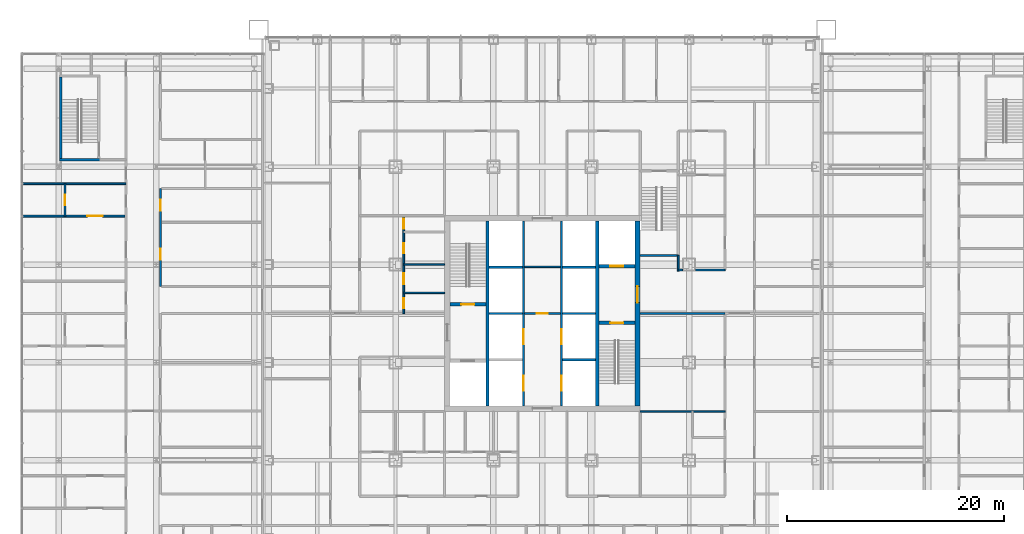
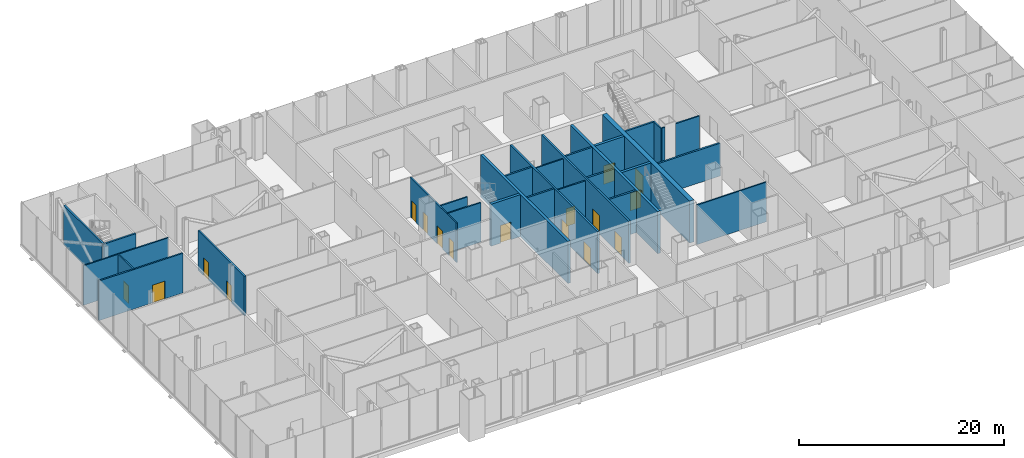
# One storey, part 15 of 25: 30 walls, 17 doors, 17 openings.
"""IFC4 building model written with IfcOpenShell, lengths in metres."""

from ifc_helpers import new_model, si_unit, direction, frame, frame_2d, origin, place, context, subcontext, project, spatial, rectangle, extrude, material, layer, layer_set, type_object, element, fill, save


model = new_model("IFC4")

# Units and contexts
model_context = context("Model", 3, precision=1e-05, world=origin(), true_north=direction((0.0, 1.0)))
body_context = subcontext(model_context, "Body", "Model", "MODEL_VIEW")
ifc_project = project(units=[si_unit("LENGTHUNIT", "METRE"), si_unit("AREAUNIT", "SQUARE_METRE"), si_unit("VOLUMEUNIT", "CUBIC_METRE"), si_unit("PLANEANGLEUNIT", "RADIAN"), si_unit("MASSUNIT", "GRAM", prefix="KILO")], contexts=[model_context])

# Site, building, storey
site_placement = place(None, origin())
site = spatial("IfcSite", under=ifc_project, at=site_placement, CompositionType="ELEMENT")
building_placement = place(site_placement, origin())
building = spatial("IfcBuilding", under=site, at=building_placement, Name="Malebo Sky Hospital", CompositionType="ELEMENT")
storey_placement = place(building_placement, frame((0.0, 0.0, 6.0)))
storey = spatial("IfcBuildingStorey", under=building, at=storey_placement, Name="L01", CompositionType="ELEMENT", Elevation=6.0)

# Wall, openings, doors
ifc_material_1 = material(Name="Concrete C80/95", Category="concrete")
ifc_layer_1 = layer(ifc_material_1, 0.199951171875)
ifc_layer_set_1 = layer_set([ifc_layer_1], Name="CORE INNER WALL 200")
wall_type_1 = type_object("IfcWallType", Name="CORE INNER WALL 200", PredefinedType="SHEAR", material=ifc_layer_set_1)
wall_1_placement = place(storey_placement, frame((58.25, 53.5, 0.0), z_axis=(0.0, 0.0, 1.0), x_axis=(0.0, 1.0, 0.0)))
wall_1 = element("IfcWall", 1, at=wall_1_placement, inside=storey, type_object=wall_type_1, Name="Core wall LW L01", PredefinedType="SHEAR", context=body_context, shape_type="SweptSolid", body=[
    extrude(rectangle(XDim=17.0, YDim=0.199951171875, at=frame_2d((8.5, 0.0))), origin(), (0.0, 0.0, 1.0), 5.0),
])
opening_1_placement = place(wall_1_placement, frame((1.375, 0.0, 0.0)))
opening_1 = element("IfcOpeningElement", 2, at=opening_1_placement, cuts=wall_1, Name="Opening LD1", PredefinedType="OPENING", context=body_context, shape_type="SweptSolid", body=[
    extrude(rectangle(XDim=1.39990234375, YDim=2.199951171875, at=frame_2d((0.699951171875, 1.10009765625))), frame((0.0, 0.10986328125, 0.0), z_axis=(0.0, -1.0, 0.0), x_axis=(1.0, 0.0, 0.0)), (0.0, 0.0, 1.0), 0.219970703125),
])
opening_2_placement = place(wall_1_placement, frame((5.675048828125, 0.0, 0.0)))
opening_2 = element("IfcOpeningElement", 3, at=opening_2_placement, cuts=wall_1, Name="Opening LD1", PredefinedType="OPENING", context=body_context, shape_type="SweptSolid", body=[
    extrude(rectangle(XDim=1.39990234375, YDim=2.199951171875, at=frame_2d((0.699951171875, 1.10009765625))), frame((0.0, 0.10986328125, 0.0), z_axis=(0.0, -1.0, 0.0), x_axis=(1.0, 0.0, 0.0)), (0.0, 0.0, 1.0), 0.219970703125),
])
ifc_material_2 = material(Name="Stainless steel sliding landing door", Category="steel")
door_type_1 = type_object("IfcDoorType", Name="LIFT LANDING DOOR 1400", OperationType="SLIDING_TO_LEFT", PredefinedType="DOOR", material=ifc_material_2)
door_1_placement = place(opening_1_placement, origin())
door_1 = element("IfcDoor", 4, at=door_1_placement, inside=storey, type_object=door_type_1, Name="Lift W1 landing door", OperationType="SLIDING_TO_LEFT", OverallHeight=2.199951171875, OverallWidth=1.39990234375, PredefinedType="DOOR", context=body_context, shape_type="SweptSolid", body=[
    extrude(rectangle(XDim=1.39990234375, YDim=2.199951171875, at=frame_2d((0.699951171875, 1.10009765625))), frame((0.0, 0.02490234375, 0.0), z_axis=(0.0, -1.0, 0.0), x_axis=(1.0, 0.0, 0.0)), (0.0, 0.0, 1.0), 0.050048828125),
])
fill(opening_1, door_1)
door_2_placement = place(opening_2_placement, origin())
door_2 = element("IfcDoor", 5, at=door_2_placement, inside=storey, type_object=door_type_1, Name="Lift W2 landing door", OperationType="SLIDING_TO_LEFT", OverallHeight=2.199951171875, OverallWidth=1.39990234375, PredefinedType="DOOR", context=body_context, shape_type="SweptSolid", body=[
    extrude(rectangle(XDim=1.39990234375, YDim=2.199951171875, at=frame_2d((0.699951171875, 1.10009765625))), frame((0.0, 0.02490234375, 0.0), z_axis=(0.0, -1.0, 0.0), x_axis=(1.0, 0.0, 0.0)), (0.0, 0.0, 1.0), 0.050048828125),
])
fill(opening_2, door_2)

wall_2_placement = place(storey_placement, frame((61.75, 53.5, 0.0), z_axis=(0.0, 0.0, 1.0), x_axis=(0.0, 1.0, 0.0)))
wall_2 = element("IfcWall", 6, at=wall_2_placement, inside=storey, type_object=wall_type_1, Name="Core wall LE L01", PredefinedType="SHEAR", context=body_context, shape_type="SweptSolid", body=[
    extrude(rectangle(XDim=17.0, YDim=0.199951171875, at=frame_2d((8.5, 0.0))), origin(), (0.0, 0.0, 1.0), 5.0),
])
opening_3_placement = place(wall_2_placement, frame((1.375, 0.0, 0.0)))
opening_3 = element("IfcOpeningElement", 7, at=opening_3_placement, cuts=wall_2, Name="Opening LD1", PredefinedType="OPENING", context=body_context, shape_type="SweptSolid", body=[
    extrude(rectangle(XDim=1.39990234375, YDim=2.199951171875, at=frame_2d((0.699951171875, 1.10009765625))), frame((0.0, 0.10986328125, 0.0), z_axis=(0.0, -1.0, 0.0), x_axis=(1.0, 0.0, 0.0)), (0.0, 0.0, 1.0), 0.219970703125),
])
opening_4_placement = place(wall_2_placement, frame((5.675048828125, 0.0, 0.0)))
opening_4 = element("IfcOpeningElement", 8, at=opening_4_placement, cuts=wall_2, Name="Opening LD1", PredefinedType="OPENING", context=body_context, shape_type="SweptSolid", body=[
    extrude(rectangle(XDim=1.39990234375, YDim=2.199951171875, at=frame_2d((0.699951171875, 1.10009765625))), frame((0.0, 0.10986328125, 0.0), z_axis=(0.0, -1.0, 0.0), x_axis=(1.0, 0.0, 0.0)), (0.0, 0.0, 1.0), 0.219970703125),
])
door_3_placement = place(opening_3_placement, origin())
door_3 = element("IfcDoor", 9, at=door_3_placement, inside=storey, type_object=door_type_1, Name="Lift E1 landing door", OperationType="SLIDING_TO_LEFT", OverallHeight=2.199951171875, OverallWidth=1.39990234375, PredefinedType="DOOR", context=body_context, shape_type="SweptSolid", body=[
    extrude(rectangle(XDim=1.39990234375, YDim=2.199951171875, at=frame_2d((0.699951171875, 1.10009765625))), frame((0.0, 0.02490234375, 0.0), z_axis=(0.0, -1.0, 0.0), x_axis=(1.0, 0.0, 0.0)), (0.0, 0.0, 1.0), 0.050048828125),
])
fill(opening_3, door_3)
door_4_placement = place(opening_4_placement, origin())
door_4 = element("IfcDoor", 10, at=door_4_placement, inside=storey, type_object=door_type_1, Name="Lift E2 landing door", OperationType="SLIDING_TO_LEFT", OverallHeight=2.199951171875, OverallWidth=1.39990234375, PredefinedType="DOOR", context=body_context, shape_type="SweptSolid", body=[
    extrude(rectangle(XDim=1.39990234375, YDim=2.199951171875, at=frame_2d((0.699951171875, 1.10009765625))), frame((0.0, 0.02490234375, 0.0), z_axis=(0.0, -1.0, 0.0), x_axis=(1.0, 0.0, 0.0)), (0.0, 0.0, 1.0), 0.050048828125),
])
fill(opening_4, door_4)

# Walls
for number, where, z_axis, x_axis, name in (
    (11, (61.85009765625, 57.75, 0.0), (0.0, 0.0, 1.0), (1.0, 0.0, 0.0), "Core wall SE0 L01"),
    (12, (55.10009765625, 62.0, 0.0), (0.0, 0.0, 1.0), (1.0, 0.0, 0.0), "Core wall SW1 L01"),
    (13, (61.85009765625, 62.0, 0.0), (0.0, 0.0, 1.0), (1.0, 0.0, 0.0), "Core wall SE1 L01"),
    (14, (55.10009765625, 66.25, 0.0), (0.0, 0.0, 1.0), (1.0, 0.0, 0.0), "Core wall SW2 L01"),
    (15, (61.85009765625, 66.25, 0.0), (0.0, 0.0, 1.0), (1.0, 0.0, 0.0), "Core wall SE2 L01"),
):
    element("IfcWall", number, at=place(storey_placement, frame(where, z_axis=z_axis, x_axis=x_axis)), inside=storey, type_object=wall_type_1, Name=name, PredefinedType="SHEAR", context=body_context, shape_type="SweptSolid", body=[
        extrude(rectangle(XDim=3.0498046875, YDim=0.199951171875, at=frame_2d((1.52490234375, 0.0))), origin(), (0.0, 0.0, 1.0), 5.0),
    ])
ifc_layer_2 = layer(ifc_material_1, 0.300048828125)
ifc_layer_set_2 = layer_set([ifc_layer_2], Name="CORE INNER WALL 300")
wall_type_2 = type_object("IfcWallType", Name="CORE INNER WALL 300", PredefinedType="SHEAR", material=ifc_layer_set_2)
for number, where, z_axis, x_axis, name in (
    (16, (54.949951171875, 53.5, 0.0), (0.0, 0.0, 1.0), (0.0, 1.0, 0.0), "Core wall XW L01"),
    (17, (65.050048828125, 53.5, 0.0), (0.0, 0.0, 1.0), (0.0, 1.0, 0.0), "Core wall XE L01"),
):
    element("IfcWall", number, at=place(storey_placement, frame(where, z_axis=z_axis, x_axis=x_axis)), inside=storey, type_object=wall_type_2, Name=name, PredefinedType="SHEAR", context=body_context, shape_type="SweptSolid", body=[
        extrude(rectangle(XDim=17.0, YDim=0.300048828125, at=frame_2d((8.5, 0.0))), origin(), (0.0, 0.0, 1.0), 5.0),
    ])

# Wall, opening, door
wall_3_placement = place(storey_placement, frame((51.5, 62.85009765625, 0.0), z_axis=(0.0, 0.0, 1.0), x_axis=(1.0, 0.0, 0.0)))
wall_3 = element("IfcWall", 18, at=wall_3_placement, inside=storey, type_object=wall_type_2, Name="Core wall W1 L01", PredefinedType="SHEAR", context=body_context, shape_type="SweptSolid", body=[
    extrude(rectangle(XDim=3.300048828125, YDim=0.300048828125, at=frame_2d((1.64990234375, 0.0))), origin(), (0.0, 0.0, 1.0), 5.0),
])
opening_5_placement = place(wall_3_placement, frame((1.050048828125, 0.0, 0.0)))
opening_5 = element("IfcOpeningElement", 19, at=opening_5_placement, cuts=wall_3, Name="Opening D08", PredefinedType="OPENING", context=body_context, shape_type="SweptSolid", body=[
    extrude(rectangle(XDim=1.199951171875, YDim=2.10009765625, at=frame_2d((0.60009765625, 1.050048828125))), frame((0.0, 0.159912109375, 0.0), z_axis=(0.0, -1.0, 0.0), x_axis=(1.0, 0.0, 0.0)), (0.0, 0.0, 1.0), 0.320068359375),
])
ifc_material_3 = material(Name="Hardwood-faced door leaf in steel frame", Category="steel")
door_type_2 = type_object("IfcDoorType", Name="STAIR DOOR 1200", OperationType="SINGLE_SWING_LEFT", PredefinedType="DOOR", material=ifc_material_3)
door_5_placement = place(opening_5_placement, origin())
door_5 = element("IfcDoor", 20, at=door_5_placement, inside=storey, type_object=door_type_2, Name="Stair S1 door", OperationType="SINGLE_SWING_LEFT", OverallHeight=2.10009765625, OverallWidth=1.199951171875, PredefinedType="DOOR", context=body_context, shape_type="SweptSolid", body=[
    extrude(rectangle(XDim=1.199951171875, YDim=2.10009765625, at=frame_2d((0.60009765625, 1.050048828125))), frame((0.0, 0.02490234375, 0.0), z_axis=(0.0, -1.0, 0.0), x_axis=(1.0, 0.0, 0.0)), (0.0, 0.0, 1.0), 0.050048828125),
])
fill(opening_5, door_5)

wall_4_placement = place(storey_placement, frame((65.199951171875, 61.14990234375, 0.0), z_axis=(0.0, 0.0, 1.0), x_axis=(1.0, 0.0, 0.0)))
wall_4 = element("IfcWall", 21, at=wall_4_placement, inside=storey, type_object=wall_type_2, Name="Core wall E1 L01", PredefinedType="SHEAR", context=body_context, shape_type="SweptSolid", body=[
    extrude(rectangle(XDim=3.300048828125, YDim=0.300048828125, at=frame_2d((1.64990234375, 0.0))), origin(), (0.0, 0.0, 1.0), 5.0),
])
opening_6_placement = place(wall_4_placement, frame((1.050048828125, 0.0, 0.0)))
opening_6 = element("IfcOpeningElement", 22, at=opening_6_placement, cuts=wall_4, Name="Opening D08", PredefinedType="OPENING", context=body_context, shape_type="SweptSolid", body=[
    extrude(rectangle(XDim=1.199951171875, YDim=2.10009765625, at=frame_2d((0.60009765625, 1.050048828125))), frame((0.0, 0.159912109375, 0.0), z_axis=(0.0, -1.0, 0.0), x_axis=(1.0, 0.0, 0.0)), (0.0, 0.0, 1.0), 0.320068359375),
])
door_6_placement = place(opening_6_placement, origin())
door_6 = element("IfcDoor", 23, at=door_6_placement, inside=storey, type_object=door_type_2, Name="Stair S2 door", OperationType="SINGLE_SWING_LEFT", OverallHeight=2.10009765625, OverallWidth=1.199951171875, PredefinedType="DOOR", context=body_context, shape_type="SweptSolid", body=[
    extrude(rectangle(XDim=1.199951171875, YDim=2.10009765625, at=frame_2d((0.60009765625, 1.050048828125))), frame((0.0, 0.02490234375, 0.0), z_axis=(0.0, -1.0, 0.0), x_axis=(1.0, 0.0, 0.0)), (0.0, 0.0, 1.0), 0.050048828125),
])
fill(opening_6, door_6)

wall_5_placement = place(storey_placement, frame((65.199951171875, 66.35009765625, 0.0), z_axis=(0.0, 0.0, 1.0), x_axis=(1.0, 0.0, 0.0)))
wall_5 = element("IfcWall", 24, at=wall_5_placement, inside=storey, type_object=wall_type_2, Name="Core wall E2 L01", PredefinedType="SHEAR", context=body_context, shape_type="SweptSolid", body=[
    extrude(rectangle(XDim=3.300048828125, YDim=0.300048828125, at=frame_2d((1.64990234375, 0.0))), origin(), (0.0, 0.0, 1.0), 5.0),
])
opening_7_placement = place(wall_5_placement, frame((1.050048828125, 0.0, 0.0)))
opening_7 = element("IfcOpeningElement", 25, at=opening_7_placement, cuts=wall_5, Name="Opening LD2", PredefinedType="OPENING", context=body_context, shape_type="SweptSolid", body=[
    extrude(rectangle(XDim=1.199951171875, YDim=2.199951171875, at=frame_2d((0.60009765625, 1.10009765625))), frame((0.0, 0.159912109375, 0.0), z_axis=(0.0, -1.0, 0.0), x_axis=(1.0, 0.0, 0.0)), (0.0, 0.0, 1.0), 0.320068359375),
])
door_type_3 = type_object("IfcDoorType", Name="FIRE-FIGHTING LIFT LANDING DOOR 1200", OperationType="SLIDING_TO_LEFT", PredefinedType="DOOR", material=ifc_material_2)
door_7_placement = place(opening_7_placement, origin())
door_7 = element("IfcDoor", 26, at=door_7_placement, inside=storey, type_object=door_type_3, Name="Lift FL2 landing door", OperationType="SLIDING_TO_LEFT", OverallHeight=2.199951171875, OverallWidth=1.199951171875, PredefinedType="DOOR", context=body_context, shape_type="SweptSolid", body=[
    extrude(rectangle(XDim=1.199951171875, YDim=2.199951171875, at=frame_2d((0.60009765625, 1.10009765625))), frame((0.0, 0.02490234375, 0.0), z_axis=(0.0, -1.0, 0.0), x_axis=(1.0, 0.0, 0.0)), (0.0, 0.0, 1.0), 0.050048828125),
])
fill(opening_7, door_7)

ifc_layer_3 = layer(ifc_material_1, 0.5)
ifc_layer_set_3 = layer_set([ifc_layer_3], Name="CORE WALL 500")
wall_type_3 = type_object("IfcWallType", Name="CORE WALL 500", PredefinedType="SHEAR", material=ifc_layer_set_3)
wall_6_placement = place(storey_placement, frame((68.75, 53.5, 0.0), z_axis=(0.0, 0.0, 1.0), x_axis=(0.0, 1.0, 0.0)))
wall_6 = element("IfcWall", 27, at=wall_6_placement, inside=storey, type_object=wall_type_3, Name="Core wall E L01", PredefinedType="SHEAR", context=body_context, shape_type="SweptSolid", body=[
    extrude(rectangle(XDim=17.0, YDim=0.5, at=frame_2d((8.5, 0.0))), origin(), (0.0, 0.0, 1.0), 5.0),
])
opening_8_placement = place(wall_6_placement, frame((9.5, 0.0, 0.0)))
opening_8 = element("IfcOpeningElement", 28, at=opening_8_placement, cuts=wall_6, Name="Opening D07", PredefinedType="OPENING", context=body_context, shape_type="SweptSolid", body=[
    extrude(rectangle(XDim=1.5, YDim=2.199951171875, at=frame_2d((0.75, 1.10009765625))), frame((0.0, 0.260009765625, 0.0), z_axis=(0.0, -1.0, 0.0), x_axis=(1.0, 0.0, 0.0)), (0.0, 0.0, 1.0), 0.52001953125),
])
door_type_4 = type_object("IfcDoorType", Name="FIRE-FIGHTING LOBBY DOOR PAIR 1500", OperationType="DOUBLE_DOOR_SINGLE_SWING", PredefinedType="DOOR", material=ifc_material_3)
door_8_placement = place(opening_8_placement, origin())
door_8 = element("IfcDoor", 29, at=door_8_placement, inside=storey, type_object=door_type_4, Name="Fire-fighting lobby door east", OperationType="DOUBLE_DOOR_SINGLE_SWING", OverallHeight=2.199951171875, OverallWidth=1.5, PredefinedType="DOOR", context=body_context, shape_type="SweptSolid", body=[
    extrude(rectangle(XDim=1.5, YDim=2.199951171875, at=frame_2d((0.75, 1.10009765625))), frame((0.0, 0.02490234375, 0.0), z_axis=(0.0, -1.0, 0.0), x_axis=(1.0, 0.0, 0.0)), (0.0, 0.0, 1.0), 0.050048828125),
])
fill(opening_8, door_8)

# Wall, openings, doors
ifc_material_4 = material(Name="Gypsum board on steel studs", Category="steel")
ifc_layer_4 = layer(ifc_material_4, 0.199951171875)
ifc_layer_set_4 = layer_set([ifc_layer_4], Name="CORRIDOR WALL 200")
wall_type_4 = type_object("IfcWallType", Name="CORRIDOR WALL 200", PredefinedType="PARTITIONING", material=ifc_layer_set_4)
wall_7_placement = place(storey_placement, frame((24.882080078125, 64.5, 0.0), z_axis=(0.0, 0.0, 1.0), x_axis=(0.0, 1.0, 0.0)))
wall_7 = element("IfcWall", 30, at=wall_7_placement, inside=storey, type_object=wall_type_4, Name="Corridor Wall 200 WWC2C", PredefinedType="PARTITIONING", context=body_context, shape_type="SweptSolid", body=[
    extrude(rectangle(XDim=9.0, YDim=0.199951171875, at=frame_2d((4.5, 0.0))), origin(), (0.0, 0.0, 1.0), 4.699951171875),
])
opening_9_placement = place(wall_7_placement, frame((2.449951171875, 0.0, 0.0)))
opening_9 = element("IfcOpeningElement", 31, at=opening_9_placement, cuts=wall_7, Name="Opening D03", PredefinedType="OPENING", context=body_context, shape_type="SweptSolid", body=[
    extrude(rectangle(XDim=1.0, YDim=2.10009765625, at=frame_2d((0.5, 1.050048828125))), frame((0.0, 0.10986328125, 0.0), z_axis=(0.0, -1.0, 0.0), x_axis=(1.0, 0.0, 0.0)), (0.0, 0.0, 1.0), 0.219970703125),
])
opening_10_placement = place(wall_7_placement, frame((6.949951171875, 0.0, 0.0)))
opening_10 = element("IfcOpeningElement", 32, at=opening_10_placement, cuts=wall_7, Name="Opening D03", PredefinedType="OPENING", context=body_context, shape_type="SweptSolid", body=[
    extrude(rectangle(XDim=1.0, YDim=2.10009765625, at=frame_2d((0.5, 1.050048828125))), frame((0.0, 0.10986328125, 0.0), z_axis=(0.0, -1.0, 0.0), x_axis=(1.0, 0.0, 0.0)), (0.0, 0.0, 1.0), 0.219970703125),
])
door_type_5 = type_object("IfcDoorType", Name="ROOM DOOR 1000", OperationType="SINGLE_SWING_LEFT", PredefinedType="DOOR", material=ifc_material_3)
door_9_placement = place(opening_9_placement, origin())
door_9 = element("IfcDoor", 33, at=door_9_placement, inside=storey, type_object=door_type_5, Name="Image reporting room door", OperationType="SINGLE_SWING_LEFT", OverallHeight=2.10009765625, OverallWidth=1.0, PredefinedType="DOOR", context=body_context, shape_type="SweptSolid", body=[
    extrude(rectangle(XDim=1.0, YDim=2.10009765625, at=frame_2d((0.5, 1.050048828125))), frame((0.0, 0.02490234375, 0.0), z_axis=(0.0, -1.0, 0.0), x_axis=(1.0, 0.0, 0.0)), (0.0, 0.0, 1.0), 0.050048828125),
])
fill(opening_9, door_9)
door_10_placement = place(opening_10_placement, origin())
door_10 = element("IfcDoor", 34, at=door_10_placement, inside=storey, type_object=door_type_5, Name="Radiologist office door", OperationType="SINGLE_SWING_LEFT", OverallHeight=2.10009765625, OverallWidth=1.0, PredefinedType="DOOR", context=body_context, shape_type="SweptSolid", body=[
    extrude(rectangle(XDim=1.0, YDim=2.10009765625, at=frame_2d((0.5, 1.050048828125))), frame((0.0, 0.02490234375, 0.0), z_axis=(0.0, -1.0, 0.0), x_axis=(1.0, 0.0, 0.0)), (0.0, 0.0, 1.0), 0.050048828125),
])
fill(opening_10, door_10)

ifc_layer_5 = layer(ifc_material_4, 0.14990234375)
ifc_layer_set_5 = layer_set([ifc_layer_5], Name="PARTITION 150")
wall_type_5 = type_object("IfcWallType", Name="PARTITION 150", PredefinedType="PARTITIONING", material=ifc_layer_set_5)
wall_8_placement = place(storey_placement, frame((47.25, 62.0, 0.0), z_axis=(0.0, 0.0, 1.0), x_axis=(0.0, 1.0, 0.0)))
wall_8 = element("IfcWall", 35, at=wall_8_placement, inside=storey, type_object=wall_type_5, Name="Partition 150 WS1F", PredefinedType="PARTITIONING", context=body_context, shape_type="SweptSolid", body=[
    extrude(rectangle(XDim=9.0, YDim=0.14990234375, at=frame_2d((4.5, 0.0))), origin(), (0.0, 0.0, 1.0), 4.699951171875),
])
opening_11_placement = place(wall_8_placement, frame((0.5, 0.0, 0.0)))
opening_11 = element("IfcOpeningElement", 36, at=opening_11_placement, cuts=wall_8, Name="Opening D04", PredefinedType="OPENING", context=body_context, shape_type="SweptSolid", body=[
    extrude(rectangle(XDim=0.89990234375, YDim=2.10009765625, at=frame_2d((0.449951171875, 1.050048828125))), frame((0.0, 0.0849609375, 0.0), z_axis=(0.0, -1.0, 0.0), x_axis=(1.0, 0.0, 0.0)), (0.0, 0.0, 1.0), 0.169921875),
])
opening_12_placement = place(wall_8_placement, frame((2.699951171875, 0.0, 0.0)))
opening_12 = element("IfcOpeningElement", 37, at=opening_12_placement, cuts=wall_8, Name="Opening D03", PredefinedType="OPENING", context=body_context, shape_type="SweptSolid", body=[
    extrude(rectangle(XDim=1.0, YDim=2.10009765625, at=frame_2d((0.5, 1.050048828125))), frame((0.0, 0.0849609375, 0.0), z_axis=(0.0, -1.0, 0.0), x_axis=(1.0, 0.0, 0.0)), (0.0, 0.0, 1.0), 0.169921875),
])
opening_13_placement = place(wall_8_placement, frame((5.550048828125, 0.0, 0.0)))
opening_13 = element("IfcOpeningElement", 38, at=opening_13_placement, cuts=wall_8, Name="Opening D04", PredefinedType="OPENING", context=body_context, shape_type="SweptSolid", body=[
    extrude(rectangle(XDim=0.89990234375, YDim=2.10009765625, at=frame_2d((0.449951171875, 1.050048828125))), frame((0.0, 0.0849609375, 0.0), z_axis=(0.0, -1.0, 0.0), x_axis=(1.0, 0.0, 0.0)), (0.0, 0.0, 1.0), 0.169921875),
])
opening_14_placement = place(wall_8_placement, frame((7.800048828125, 0.0, 0.0)))
opening_14 = element("IfcOpeningElement", 39, at=opening_14_placement, cuts=wall_8, Name="Opening D04", PredefinedType="OPENING", context=body_context, shape_type="SweptSolid", body=[
    extrude(rectangle(XDim=0.89990234375, YDim=2.10009765625, at=frame_2d((0.449951171875, 1.050048828125))), frame((0.0, 0.0849609375, 0.0), z_axis=(0.0, -1.0, 0.0), x_axis=(1.0, 0.0, 0.0)), (0.0, 0.0, 1.0), 0.169921875),
])
door_11_placement = place(opening_12_placement, origin())
door_11 = element("IfcDoor", 40, at=door_11_placement, inside=storey, type_object=door_type_5, Name="Accessible WC door", OperationType="SINGLE_SWING_LEFT", OverallHeight=2.10009765625, OverallWidth=1.0, PredefinedType="DOOR", context=body_context, shape_type="SweptSolid", body=[
    extrude(rectangle(XDim=1.0, YDim=2.10009765625, at=frame_2d((0.5, 1.050048828125))), frame((0.0, 0.02490234375, 0.0), z_axis=(0.0, -1.0, 0.0), x_axis=(1.0, 0.0, 0.0)), (0.0, 0.0, 1.0), 0.050048828125),
])
fill(opening_12, door_11)
door_type_6 = type_object("IfcDoorType", Name="ROOM DOOR 900", OperationType="SINGLE_SWING_LEFT", PredefinedType="DOOR", material=ifc_material_3)
door_12_placement = place(opening_11_placement, origin())
door_12 = element("IfcDoor", 41, at=door_12_placement, inside=storey, type_object=door_type_6, Name="Staff WC door", OperationType="SINGLE_SWING_LEFT", OverallHeight=2.10009765625, OverallWidth=0.89990234375, PredefinedType="DOOR", context=body_context, shape_type="SweptSolid", body=[
    extrude(rectangle(XDim=0.89990234375, YDim=2.10009765625, at=frame_2d((0.449951171875, 1.050048828125))), frame((0.0, 0.02490234375, 0.0), z_axis=(0.0, -1.0, 0.0), x_axis=(1.0, 0.0, 0.0)), (0.0, 0.0, 1.0), 0.050048828125),
])
fill(opening_11, door_12)
door_13_placement = place(opening_13_placement, origin())
door_13 = element("IfcDoor", 42, at=door_13_placement, inside=storey, type_object=door_type_6, Name="Staff WC door", OperationType="SINGLE_SWING_LEFT", OverallHeight=2.10009765625, OverallWidth=0.89990234375, PredefinedType="DOOR", context=body_context, shape_type="SweptSolid", body=[
    extrude(rectangle(XDim=0.89990234375, YDim=2.10009765625, at=frame_2d((0.449951171875, 1.050048828125))), frame((0.0, 0.02490234375, 0.0), z_axis=(0.0, -1.0, 0.0), x_axis=(1.0, 0.0, 0.0)), (0.0, 0.0, 1.0), 0.050048828125),
])
fill(opening_13, door_13)
door_14_placement = place(opening_14_placement, origin())
door_14 = element("IfcDoor", 43, at=door_14_placement, inside=storey, type_object=door_type_6, Name="Staff WC door", OperationType="SINGLE_SWING_LEFT", OverallHeight=2.10009765625, OverallWidth=0.89990234375, PredefinedType="DOOR", context=body_context, shape_type="SweptSolid", body=[
    extrude(rectangle(XDim=0.89990234375, YDim=2.10009765625, at=frame_2d((0.449951171875, 1.050048828125))), frame((0.0, 0.02490234375, 0.0), z_axis=(0.0, -1.0, 0.0), x_axis=(1.0, 0.0, 0.0)), (0.0, 0.0, 1.0), 0.050048828125),
])
fill(opening_14, door_14)

# Walls
wall_9_placement = place(storey_placement, frame((51.0, 63.89990234375, 0.0), z_axis=(0.0, 0.0, 1.0), x_axis=(-1.0, 0.0, 0.0)))
element("IfcWall", 44, at=wall_9_placement, inside=storey, type_object=wall_type_5, Name="Partition 150 WS1W1", PredefinedType="PARTITIONING", context=body_context, shape_type="SweptSolid", body=[
    extrude(rectangle(XDim=3.75, YDim=0.14990234375, at=frame_2d((1.875, 0.0))), origin(), (0.0, 0.0, 1.0), 4.699951171875),
])
wall_10_placement = place(storey_placement, frame((51.0, 66.5, 0.0), z_axis=(0.0, 0.0, 1.0), x_axis=(-1.0, 0.0, 0.0)))
element("IfcWall", 45, at=wall_10_placement, inside=storey, type_object=wall_type_5, Name="Partition 150 WS1W2", PredefinedType="PARTITIONING", context=body_context, shape_type="SweptSolid", body=[
    extrude(rectangle(XDim=3.75, YDim=0.14990234375, at=frame_2d((1.875, 0.0))), origin(), (0.0, 0.0, 1.0), 3.800048828125),
])
wall_11_placement = place(storey_placement, frame((72.5, 66.0, 0.0), z_axis=(0.0, 0.0, 1.0), x_axis=(1.0, 0.0, 0.0)))
element("IfcWall", 46, at=wall_11_placement, inside=storey, type_object=wall_type_5, Name="Partition 150 ESPA", PredefinedType="PARTITIONING", context=body_context, shape_type="SweptSolid", body=[
    extrude(rectangle(XDim=0.39990234375, YDim=0.14990234375, at=frame_2d((0.199951171875, 0.0))), origin(), (0.0, 0.0, 1.0), 4.699951171875),
])
wall_12_placement = place(storey_placement, frame((74.10009765625, 66.0, 0.0), z_axis=(0.0, 0.0, 1.0), x_axis=(1.0, 0.0, 0.0)))
element("IfcWall", 47, at=wall_12_placement, inside=storey, type_object=wall_type_5, Name="Partition 150 ESPA", PredefinedType="PARTITIONING", context=body_context, shape_type="SweptSolid", body=[
    extrude(rectangle(XDim=2.699951171875, YDim=0.14990234375, at=frame_2d((1.35009765625, 0.0))), origin(), (0.0, 0.0, 1.0), 4.699951171875),
])
wall_13_placement = place(storey_placement, frame((69.0, 53.0, 0.0), z_axis=(0.0, 0.0, 1.0), x_axis=(1.0, 0.0, 0.0)))
element("IfcWall", 48, at=wall_13_placement, inside=storey, type_object=wall_type_5, Name="Partition 150 ESP9", PredefinedType="PARTITIONING", context=body_context, shape_type="SweptSolid", body=[
    extrude(rectangle(XDim=7.800048828125, YDim=0.14990234375, at=frame_2d((3.89990234375, 0.0))), origin(), (0.0, 0.0, 1.0), 4.699951171875),
])

# Wall, opening, door
wall_14_placement = place(storey_placement, frame((58.35009765625, 62.0, 0.0), z_axis=(0.0, 0.0, 1.0), x_axis=(1.0, 0.0, 0.0)))
wall_14 = element("IfcWall", 49, at=wall_14_placement, inside=storey, type_object=wall_type_5, Name="Partition 150 LBN", PredefinedType="PARTITIONING", context=body_context, shape_type="SweptSolid", body=[
    extrude(rectangle(XDim=3.2998046875, YDim=0.14990234375, at=frame_2d((1.64990234375, 0.0))), origin(), (0.0, 0.0, 1.0), 4.699951171875),
])
opening_15_placement = place(wall_14_placement, frame((1.14990234375, 0.0, 0.0)))
opening_15 = element("IfcOpeningElement", 50, at=opening_15_placement, cuts=wall_14, Name="Opening D03", PredefinedType="OPENING", context=body_context, shape_type="SweptSolid", body=[
    extrude(rectangle(XDim=1.0, YDim=2.10009765625, at=frame_2d((0.5, 1.050048828125))), frame((0.0, 0.0849609375, 0.0), z_axis=(0.0, -1.0, 0.0), x_axis=(1.0, 0.0, 0.0)), (0.0, 0.0, 1.0), 0.169921875),
])
door_15_placement = place(opening_15_placement, origin())
door_15 = element("IfcDoor", 51, at=door_15_placement, inside=storey, type_object=door_type_5, Name="Pantry store door", OperationType="SINGLE_SWING_LEFT", OverallHeight=2.10009765625, OverallWidth=1.0, PredefinedType="DOOR", context=body_context, shape_type="SweptSolid", body=[
    extrude(rectangle(XDim=1.0, YDim=2.10009765625, at=frame_2d((0.5, 1.050048828125))), frame((0.0, 0.02490234375, 0.0), z_axis=(0.0, -1.0, 0.0), x_axis=(1.0, 0.0, 0.0)), (0.0, 0.0, 1.0), 0.050048828125),
])
fill(opening_15, door_15)

# Walls
wall_15_placement = place(storey_placement, frame((58.35009765625, 66.28759765625, 0.0), z_axis=(0.0, 0.0, 1.0), x_axis=(1.0, 0.0, 0.0)))
element("IfcWall", 52, at=wall_15_placement, inside=storey, type_object=wall_type_5, Name="Partition 150 LBN1", PredefinedType="PARTITIONING", context=body_context, shape_type="SweptSolid", body=[
    extrude(rectangle(XDim=3.2998046875, YDim=0.14990234375, at=frame_2d((1.64990234375, 0.0))), origin(), (0.0, 0.0, 1.0), 4.699951171875),
])
wall_16_placement = place(storey_placement, frame((12.14990234375, 73.9375, 0.0), z_axis=(0.0, 0.0, 1.0), x_axis=(1.0, 0.0, 0.0)))
element("IfcWall", 53, at=wall_16_placement, inside=storey, type_object=wall_type_5, Name="Partition 150 WSP", PredefinedType="PARTITIONING", context=body_context, shape_type="SweptSolid", body=[
    extrude(rectangle(XDim=9.543212890625, YDim=0.14990234375, at=frame_2d((4.771484375, 0.0))), origin(), (0.0, 0.0, 1.0), 4.699951171875),
])

# Wall, opening, door
wall_17_placement = place(storey_placement, frame((16.093017578125, 70.953125, 0.0), z_axis=(0.0, 0.0, 1.0), x_axis=(0.0, 1.0, 0.0)))
wall_17 = element("IfcWall", 54, at=wall_17_placement, inside=storey, type_object=wall_type_5, Name="Partition 150 WOV09", PredefinedType="PARTITIONING", context=body_context, shape_type="SweptSolid", body=[
    extrude(rectangle(XDim=2.984375, YDim=0.14990234375, at=frame_2d((1.4921875, 0.0))), origin(), (0.0, 0.0, 1.0), 4.699951171875),
])
opening_16_placement = place(wall_17_placement, frame((0.9921875, 0.0, 0.0)))
opening_16 = element("IfcOpeningElement", 55, at=opening_16_placement, cuts=wall_17, Name="Opening D03", PredefinedType="OPENING", context=body_context, shape_type="SweptSolid", body=[
    extrude(rectangle(XDim=1.0, YDim=2.10009765625, at=frame_2d((0.5, 1.050048828125))), frame((0.0, 0.0849609375, 0.0), z_axis=(0.0, -1.0, 0.0), x_axis=(1.0, 0.0, 0.0)), (0.0, 0.0, 1.0), 0.169921875),
])
door_16_placement = place(opening_16_placement, origin())
door_16 = element("IfcDoor", 56, at=door_16_placement, inside=storey, type_object=door_type_5, Name="Imaging store inner door", OperationType="SINGLE_SWING_LEFT", OverallHeight=2.10009765625, OverallWidth=1.0, PredefinedType="DOOR", context=body_context, shape_type="SweptSolid", body=[
    extrude(rectangle(XDim=1.0, YDim=2.10009765625, at=frame_2d((0.5, 1.050048828125))), frame((0.0, 0.02490234375, 0.0), z_axis=(0.0, -1.0, 0.0), x_axis=(1.0, 0.0, 0.0)), (0.0, 0.0, 1.0), 0.050048828125),
])
fill(opening_16, door_16)

# Wall
wall_18_placement = place(storey_placement, frame((72.5, 65.89990234375, 0.0), z_axis=(0.0, 0.0, 1.0), x_axis=(0.0, 1.0, 0.0)))
element("IfcWall", 57, at=wall_18_placement, inside=storey, type_object=wall_type_5, Name="Partition 150 ST3C", PredefinedType="PARTITIONING", context=body_context, shape_type="SweptSolid", body=[
    extrude(rectangle(XDim=1.4501953125, YDim=0.14990234375, at=frame_2d((0.72509765625, 0.0))), origin(), (0.0, 0.0, 1.0), 4.699951171875),
])

# Wall, opening, door
ifc_material_5 = material(Name="Lead-lined gypsum board on steel studs", Category="steel")
ifc_layer_6 = layer(ifc_material_5, 0.175048828125)
ifc_layer_set_6 = layer_set([ifc_layer_6], Name="SHIELDED PARTITION 175")
wall_type_6 = type_object("IfcWallType", Name="SHIELDED PARTITION 175", PredefinedType="PARTITIONING", material=ifc_layer_set_6)
wall_19_placement = place(storey_placement, frame((12.14990234375, 70.953125, 0.0), z_axis=(0.0, 0.0, 1.0), x_axis=(1.0, 0.0, 0.0)))
wall_19 = element("IfcWall", 58, at=wall_19_placement, inside=storey, type_object=wall_type_6, Name="Shielded Partition 175 WOH06", PredefinedType="PARTITIONING", context=body_context, shape_type="SweptSolid", body=[
    extrude(rectangle(XDim=9.443115234375, YDim=0.175048828125, at=frame_2d((4.7216796875, 0.0))), origin(), (0.0, 0.0, 1.0), 4.699951171875),
])
opening_17_placement = place(wall_19_placement, frame((5.992919921875, 0.0, 0.0)))
opening_17 = element("IfcOpeningElement", 59, at=opening_17_placement, cuts=wall_19, Name="Opening D15", PredefinedType="OPENING", context=body_context, shape_type="SweptSolid", body=[
    extrude(rectangle(XDim=1.39990234375, YDim=2.10009765625, at=frame_2d((0.699951171875, 1.050048828125))), frame((0.0, 0.097412109375, 0.0), z_axis=(0.0, -1.0, 0.0), x_axis=(1.0, 0.0, 0.0)), (0.0, 0.0, 1.0), 0.195068359375),
])
ifc_material_6 = material(Name="Lead-lined hardwood-faced door leaf in steel frame", Category="steel")
door_type_7 = type_object("IfcDoorType", Name="LEAD-LINED DOOR 1400", OperationType="SINGLE_SWING_LEFT", PredefinedType="DOOR", material=ifc_material_6)
door_17_placement = place(opening_17_placement, origin())
door_17 = element("IfcDoor", 60, at=door_17_placement, inside=storey, type_object=door_type_7, Name="X-ray control room inner door", OperationType="SINGLE_SWING_LEFT", OverallHeight=2.10009765625, OverallWidth=1.39990234375, PredefinedType="DOOR", context=body_context, shape_type="SweptSolid", body=[
    extrude(rectangle(XDim=1.39990234375, YDim=2.10009765625, at=frame_2d((0.699951171875, 1.050048828125))), frame((0.0, 0.02490234375, 0.0), z_axis=(0.0, -1.0, 0.0), x_axis=(1.0, 0.0, 0.0)), (0.0, 0.0, 1.0), 0.050048828125),
])
fill(opening_17, door_17)

# Walls
ifc_material_7 = material(Name="Concrete blockwork", Category="masonry")
ifc_layer_7 = layer(ifc_material_7, 0.199951171875)
ifc_layer_set_7 = layer_set([ifc_layer_7], Name="SMOKE BARRIER WALL 200")
wall_type_7 = type_object("IfcWallType", Name="SMOKE BARRIER WALL 200", PredefinedType="SOLIDWALL", material=ifc_layer_set_7)
wall_20_placement = place(storey_placement, frame((69.0, 62.0, 0.0), z_axis=(0.0, 0.0, 1.0), x_axis=(1.0, 0.0, 0.0)))
element("IfcWall", 61, at=wall_20_placement, inside=storey, type_object=wall_type_7, Name="Smoke Barrier Wall 200 ESPB", PredefinedType="SOLIDWALL", context=body_context, shape_type="SweptSolid", body=[
    extrude(rectangle(XDim=7.800048828125, YDim=0.199951171875, at=frame_2d((3.89990234375, 0.0))), origin(), (0.0, 0.0, 1.0), 3.89990234375),
])
ifc_material_8 = material(Name="Concrete C40/50", Category="concrete")
ifc_layer_8 = layer(ifc_material_8, 0.199951171875)
ifc_layer_set_8 = layer_set([ifc_layer_8], Name="STAIR ENCLOSURE WALL 200")
wall_type_8 = type_object("IfcWallType", Name="STAIR ENCLOSURE WALL 200", PredefinedType="SOLIDWALL", material=ifc_layer_set_8)
wall_21_placement = place(storey_placement, frame((15.60009765625, 76.14990234375, 0.0), z_axis=(0.0, 0.0, 1.0), x_axis=(1.0, 0.0, 0.0)))
element("IfcWall", 62, at=wall_21_placement, inside=storey, type_object=wall_type_8, Name="Stair Enclosure Wall 200 WSS", PredefinedType="SOLIDWALL", context=body_context, shape_type="SweptSolid", body=[
    extrude(rectangle(XDim=3.699951171875, YDim=0.199951171875, at=frame_2d((1.85009765625, 0.0))), origin(), (0.0, 0.0, 1.0), 4.699951171875),
])
wall_22_placement = place(storey_placement, frame((15.699951171875, 76.25, 0.0), z_axis=(0.0, 0.0, 1.0), x_axis=(0.0, 1.0, 0.0)))
element("IfcWall", 63, at=wall_22_placement, inside=storey, type_object=wall_type_8, Name="Stair Enclosure Wall 200 WSW", PredefinedType="SOLIDWALL", context=body_context, shape_type="SweptSolid", body=[
    extrude(rectangle(XDim=7.5, YDim=0.199951171875, at=frame_2d((3.75, 0.0))), origin(), (0.0, 0.0, 1.0), 4.699951171875),
])
wall_23_placement = place(storey_placement, frame((69.0, 67.35009765625, 0.0), z_axis=(0.0, 0.0, 1.0), x_axis=(1.0, 0.0, 0.0)))
element("IfcWall", 64, at=wall_23_placement, inside=storey, type_object=wall_type_8, Name="Stair Enclosure Wall 200 ST3S", PredefinedType="SOLIDWALL", context=body_context, shape_type="SweptSolid", body=[
    extrude(rectangle(XDim=3.5, YDim=0.199951171875, at=frame_2d((1.75, 0.0))), origin(), (0.0, 0.0, 1.0), 4.699951171875),
])

save(model, "model.ifc")
